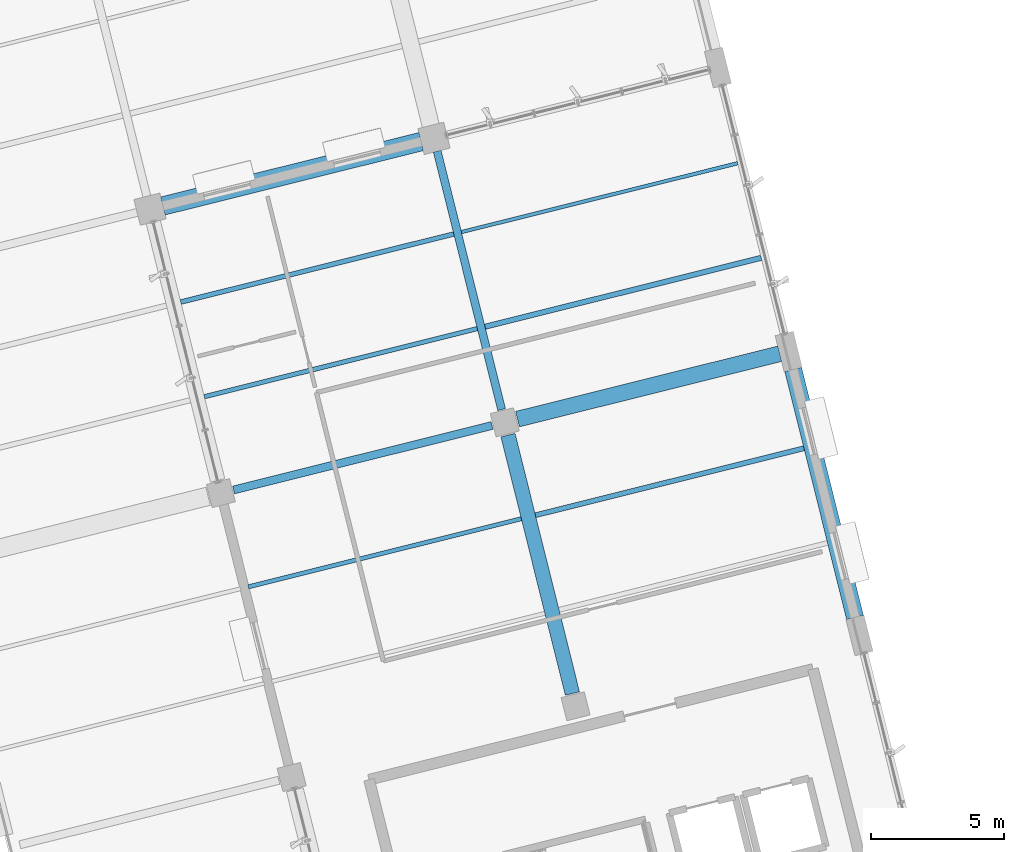
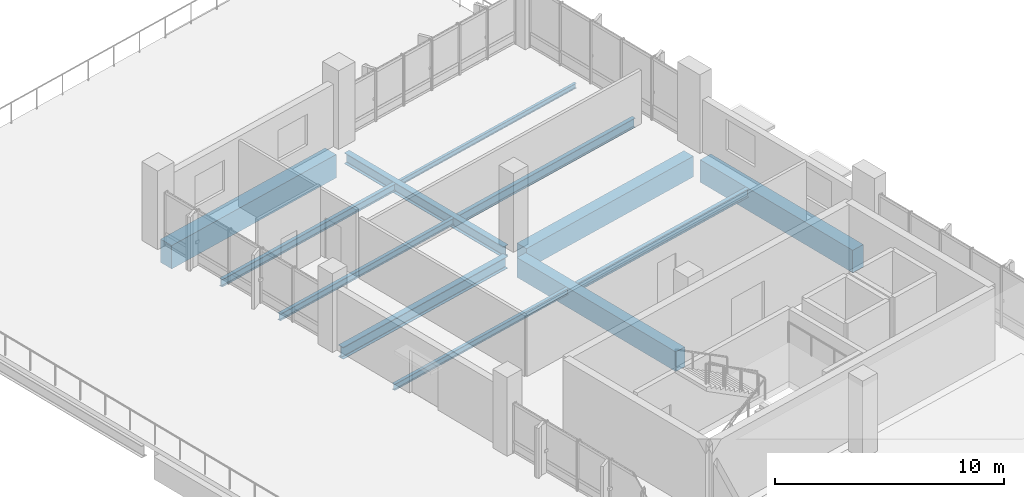
# One storey, part 20 of 42: 12 beams.
"""IFC4 building model written with IfcOpenShell, lengths in metres."""

from ifc_helpers import new_model, si_unit, direction, frame, origin, origin_2d, place, context, subcontext, project, spatial, rectangle, i_section, extrude, material, material_profile, profile_set, type_object, element, save


model = new_model("IFC4")

# Units and contexts
model_context = context("Model", 3, precision=1e-05, world=origin(), true_north=direction((0.0, 1.0)))
body_context = subcontext(model_context, "Body", "Model", "MODEL_VIEW")
ifc_project = project(units=[si_unit("LENGTHUNIT", "METRE"), si_unit("AREAUNIT", "SQUARE_METRE"), si_unit("VOLUMEUNIT", "CUBIC_METRE"), si_unit("PLANEANGLEUNIT", "RADIAN"), si_unit("MASSUNIT", "GRAM", prefix="KILO")], contexts=[model_context])

# Site, building, storey
site_placement = place(None, origin())
site = spatial("IfcSite", under=ifc_project, at=site_placement, CompositionType="ELEMENT")
building_placement = place(site_placement, origin())
building = spatial("IfcBuilding", under=site, at=building_placement, Name="Khorjan Park Terminus", CompositionType="ELEMENT")
storey_placement = place(building_placement, frame((0.0, 0.0, 20.4)))
storey = spatial("IfcBuildingStorey", under=building, at=storey_placement, Name="L04", CompositionType="ELEMENT", Elevation=20.4)

# Beams
ifc_material_1 = material(Name="Steel S355", Category="steel")
ifc_material_profile_1 = material_profile(ifc_material_1, i_section(OverallWidth=0.3, OverallDepth=0.59, WebThickness=0.013, FlangeThickness=0.025, FilletRadius=0.027, at=origin_2d()), Name="HEA 600")
ifc_profile_set_1 = profile_set([ifc_material_profile_1], Name="Steel S355")
beam_type_1 = type_object("IfcBeamType", Name="BM-HEA600", PredefinedType="BEAM", material=ifc_profile_set_1)
beam_1_placement = place(storey_placement, frame((208.602, 58.479, -0.635), z_axis=(-0.241926777576, 0.970294509049, 0.0), x_axis=(-0.970294509049, -0.241926777576, 0.0)))
element("IfcBeam", 1, at=beam_1_placement, inside=storey, type_object=beam_type_1, Name="Primary skew-grid floor girder SB-A60 (L04)", PredefinedType="BEAM", context=body_context, shape_type="SweptSolid", body=[
    extrude(i_section(OverallWidth=0.3, OverallDepth=0.59, WebThickness=0.013, FlangeThickness=0.025, FilletRadius=0.027, at=origin_2d()), origin(), (0.0, 0.0, 1.0), 10.0101),
])
ifc_material_profile_2 = material_profile(ifc_material_1, i_section(OverallWidth=0.3, OverallDepth=0.64, WebThickness=0.0135, FlangeThickness=0.026, FilletRadius=0.027, at=origin_2d()), Name="HEA 650")
ifc_profile_set_2 = profile_set([ifc_material_profile_2], Name="Steel S355")
beam_type_2 = type_object("IfcBeamType", Name="BM-HEA650", PredefinedType="BEAM", material=ifc_profile_set_2)
beam_2_placement = place(storey_placement, frame((198.5287, 55.4573, -0.66), z_axis=(0.970294509049, 0.241926777576, 0.0), x_axis=(-0.241926777576, 0.970294509049, 0.0)))
element("IfcBeam", 2, at=beam_2_placement, inside=storey, type_object=beam_type_2, Name="Primary skew-grid floor girder SB-A65 (L04)", PredefinedType="BEAM", context=body_context, shape_type="SweptSolid", body=[
    extrude(i_section(OverallWidth=0.3, OverallDepth=0.64, WebThickness=0.0135, FlangeThickness=0.026, FilletRadius=0.027, at=origin_2d()), origin(), (0.0, 0.0, 1.0), 10.0101),
])
ifc_material_2 = material(Name="Concrete C40/50", Category="concrete")
ifc_material_profile_3 = material_profile(ifc_material_2, rectangle(XDim=0.55, YDim=1.05, at=origin_2d()), Name="RC 550x1050")
ifc_profile_set_3 = profile_set([ifc_material_profile_3], Name="Concrete C40/50")
beam_type_3 = type_object("IfcBeamType", Name="BM-RC550x1050", PredefinedType="BEAM", material=ifc_profile_set_3)
beam_3_placement = place(storey_placement, frame((211.2631, 47.8058, -0.865), z_axis=(-0.24191971727, 0.970296269392, 0.0), x_axis=(-0.970296269392, -0.24191971727, 0.0)))
element("IfcBeam", 3, at=beam_3_placement, inside=storey, type_object=beam_type_3, Name="Primary skew-grid floor girder GB-105 (L04)", PredefinedType="BEAM", context=body_context, shape_type="SweptSolid", body=[
    extrude(rectangle(XDim=0.55, YDim=1.05, at=origin_2d()), origin(), (0.0, 0.0, 1.0), 10.0099),
])
ifc_material_profile_4 = material_profile(ifc_material_2, rectangle(XDim=0.6, YDim=1.1, at=origin_2d()), Name="RC 600x1100")
ifc_profile_set_4 = profile_set([ifc_material_profile_4], Name="Concrete C40/50")
beam_type_4 = type_object("IfcBeamType", Name="BM-RC600x1100", PredefinedType="BEAM", material=ifc_profile_set_4)
beam_4_placement = place(storey_placement, frame((209.202, 58.1185, -0.89), z_axis=(0.97029631121, 0.241919549545, 0.0), x_axis=(-0.241919549545, 0.97029631121, 0.0)))
element("IfcBeam", 4, at=beam_4_placement, inside=storey, type_object=beam_type_4, Name="Primary skew-grid floor girder GB-11 (L04)", PredefinedType="BEAM", context=body_context, shape_type="SweptSolid", body=[
    extrude(rectangle(XDim=0.6, YDim=1.1, at=origin_2d()), origin(), (0.0, 0.0, 1.0), 10.16),
])
ifc_material_profile_5 = material_profile(ifc_material_2, rectangle(XDim=0.65, YDim=1.2, at=origin_2d()), Name="RC 650x1200")
ifc_profile_set_5 = profile_set([ifc_material_profile_5], Name="Concrete C40/50")
beam_type_5 = type_object("IfcBeamType", Name="BM-RC650x1200", PredefinedType="BEAM", material=ifc_profile_set_5)
beam_5_placement = place(storey_placement, frame((221.888, 50.661, -0.94), z_axis=(-0.241925915978, 0.970294723874, 0.0), x_axis=(-0.970294723874, -0.241925915978, 0.0)))
element("IfcBeam", 5, at=beam_5_placement, inside=storey, type_object=beam_type_5, Name="Primary skew-grid floor girder GB-12 (L04)", PredefinedType="BEAM", context=body_context, shape_type="SweptSolid", body=[
    extrude(rectangle(XDim=0.65, YDim=1.2, at=origin_2d()), origin(), (0.0, 0.0, 1.0), 9.61),
])
ifc_material_profile_6 = material_profile(ifc_material_2, rectangle(XDim=0.7, YDim=1.25, at=origin_2d()), Name="RC 700x1250")
ifc_profile_set_6 = profile_set([ifc_material_profile_6], Name="Concrete C40/50")
beam_type_6 = type_object("IfcBeamType", Name="BM-RC700x1250", PredefinedType="BEAM", material=ifc_profile_set_6)
beam_6_placement = place(storey_placement, frame((195.8676, 66.1306, -0.965), z_axis=(0.970296854054, 0.241917372283, 0.0), x_axis=(-0.241917372283, 0.970296854054, 0.0)))
element("IfcBeam", 6, at=beam_6_placement, inside=storey, type_object=beam_type_6, Name="Primary skew-grid floor girder GB-125 (L04)", PredefinedType="BEAM", context=body_context, shape_type="SweptSolid", body=[
    extrude(rectangle(XDim=0.7, YDim=1.25, at=origin_2d()), origin(), (0.0, 0.0, 1.0), 10.01),
])
ifc_material_profile_7 = material_profile(ifc_material_1, i_section(OverallWidth=0.135, OverallDepth=0.27, WebThickness=0.0066, FlangeThickness=0.0102, FilletRadius=0.015, at=origin_2d()), Name="IPE 270")
ifc_profile_set_7 = profile_set([ifc_material_profile_7], Name="Steel S355")
beam_type_7 = type_object("IfcBeamType", Name="JS-IPE270", PredefinedType="JOIST", material=ifc_profile_set_7)
beam_7_placement = place(storey_placement, frame((207.0932, 65.1505, -0.475), z_axis=(0.970296784962, 0.241917649404, 0.0), x_axis=(-0.241917649404, 0.970296784962, 0.0)))
element("IfcBeam", 7, at=beam_7_placement, inside=storey, type_object=beam_type_7, Name="Secondary composite floor joist SJ-27 (L04)", PredefinedType="JOIST", context=body_context, shape_type="SweptSolid", body=[
    extrude(i_section(OverallWidth=0.135, OverallDepth=0.27, WebThickness=0.0066, FlangeThickness=0.0102, FilletRadius=0.015, at=origin_2d()), origin(), (0.0, 0.0, 1.0), 10.6999),
])
ifc_material_profile_8 = material_profile(ifc_material_1, i_section(OverallWidth=0.16, OverallDepth=0.33, WebThickness=0.0075, FlangeThickness=0.0115, FilletRadius=0.018, at=origin_2d()), Name="IPE 330")
ifc_profile_set_8 = profile_set([ifc_material_profile_8], Name="Steel S355")
beam_type_8 = type_object("IfcBeamType", Name="JS-IPE330", PredefinedType="JOIST", material=ifc_profile_set_8)
beam_8_placement = place(storey_placement, frame((199.081, 51.8161, -0.505), z_axis=(0.970296385626, 0.241919251074, 0.0), x_axis=(-0.241919251074, 0.970296385626, 0.0)))
element("IfcBeam", 8, at=beam_8_placement, inside=storey, type_object=beam_type_8, Name="Secondary composite floor joist SJ-33 (L04)", PredefinedType="JOIST", context=body_context, shape_type="SweptSolid", body=[
    extrude(i_section(OverallWidth=0.16, OverallDepth=0.33, WebThickness=0.0075, FlangeThickness=0.0115, FilletRadius=0.018, at=origin_2d()), origin(), (0.0, 0.0, 1.0), 10.575),
])
ifc_material_profile_9 = material_profile(ifc_material_1, i_section(OverallWidth=0.17, OverallDepth=0.36, WebThickness=0.008, FlangeThickness=0.0127, FilletRadius=0.018, at=origin_2d()), Name="IPE 360")
ifc_profile_set_9 = profile_set([ifc_material_profile_9], Name="Steel S355")
beam_type_9 = type_object("IfcBeamType", Name="JS-IPE360", PredefinedType="JOIST", material=ifc_profile_set_9)
beam_9_placement = place(storey_placement, frame((197.4282, 58.9619, -0.52), z_axis=(0.970296385626, 0.241919251074, 0.0), x_axis=(-0.241919251074, 0.970296385626, 0.0)))
element("IfcBeam", 9, at=beam_9_placement, inside=storey, type_object=beam_type_9, Name="Secondary composite floor joist SJ-36 (L04)", PredefinedType="JOIST", context=body_context, shape_type="SweptSolid", body=[
    extrude(i_section(OverallWidth=0.17, OverallDepth=0.36, WebThickness=0.008, FlangeThickness=0.0127, FilletRadius=0.018, at=origin_2d()), origin(), (0.0, 0.0, 1.0), 10.575),
])
ifc_material_profile_10 = material_profile(ifc_material_1, i_section(OverallWidth=0.18, OverallDepth=0.4, WebThickness=0.0086, FlangeThickness=0.0135, FilletRadius=0.021, at=origin_2d()), Name="IPE 400")
ifc_profile_set_10 = profile_set([ifc_material_profile_10], Name="Steel S355")
beam_type_10 = type_object("IfcBeamType", Name="JS-IPE400", PredefinedType="JOIST", material=ifc_profile_set_10)
beam_10_placement = place(storey_placement, frame((196.5412, 62.5196, -0.54), z_axis=(0.970296385626, 0.241919251074, 0.0), x_axis=(-0.241919251074, 0.970296385626, 0.0)))
element("IfcBeam", 10, at=beam_10_placement, inside=storey, type_object=beam_type_10, Name="Secondary composite floor joist SJ-40 (L04)", PredefinedType="JOIST", context=body_context, shape_type="SweptSolid", body=[
    extrude(i_section(OverallWidth=0.18, OverallDepth=0.4, WebThickness=0.0086, FlangeThickness=0.0135, FilletRadius=0.021, at=origin_2d()), origin(), (0.0, 0.0, 1.0), 10.575),
])
ifc_material_profile_11 = material_profile(ifc_material_1, i_section(OverallWidth=0.19, OverallDepth=0.45, WebThickness=0.0094, FlangeThickness=0.0146, FilletRadius=0.021, at=origin_2d()), Name="IPE 450")
ifc_profile_set_11 = profile_set([ifc_material_profile_11], Name="Steel S355")
beam_type_11 = type_object("IfcBeamType", Name="JS-IPE450", PredefinedType="JOIST", material=ifc_profile_set_11)
beam_11_placement = place(storey_placement, frame((209.8756, 54.5075, -0.565), z_axis=(0.970297843589, 0.241913403364, 0.0), x_axis=(-0.241913403364, 0.970297843589, 0.0)))
element("IfcBeam", 11, at=beam_11_placement, inside=storey, type_object=beam_type_11, Name="Secondary composite floor joist SJ-45 (L04)", PredefinedType="JOIST", context=body_context, shape_type="SweptSolid", body=[
    extrude(i_section(OverallWidth=0.19, OverallDepth=0.45, WebThickness=0.0094, FlangeThickness=0.0146, FilletRadius=0.021, at=origin_2d()), origin(), (0.0, 0.0, 1.0), 10.4),
])
ifc_material_profile_12 = material_profile(ifc_material_1, i_section(OverallWidth=0.2, OverallDepth=0.5, WebThickness=0.0102, FlangeThickness=0.016, FilletRadius=0.021, at=origin_2d()), Name="IPE 500")
ifc_profile_set_12 = profile_set([ifc_material_profile_12], Name="Steel S355")
beam_type_12 = type_object("IfcBeamType", Name="JS-IPE500", PredefinedType="JOIST", material=ifc_profile_set_12)
beam_12_placement = place(storey_placement, frame((207.9802, 61.5928, -0.59), z_axis=(0.970295138144, 0.241924254455, 0.0), x_axis=(-0.241924254455, 0.970295138144, 0.0)))
element("IfcBeam", 12, at=beam_12_placement, inside=storey, type_object=beam_type_12, Name="Secondary composite floor joist SJ-50 (L04)", PredefinedType="JOIST", context=body_context, shape_type="SweptSolid", body=[
    extrude(i_section(OverallWidth=0.2, OverallDepth=0.5, WebThickness=0.0102, FlangeThickness=0.016, FilletRadius=0.021, at=origin_2d()), origin(), (0.0, 0.0, 1.0), 10.7),
])

save(model, "model.ifc")
